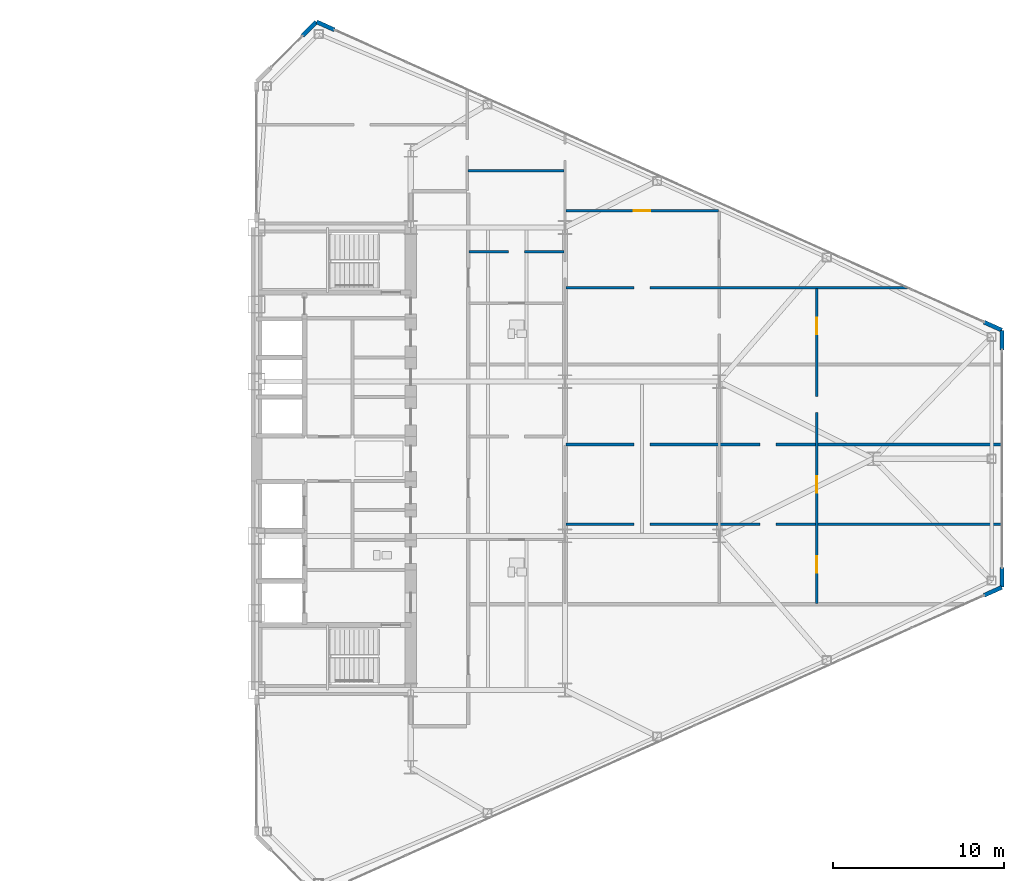
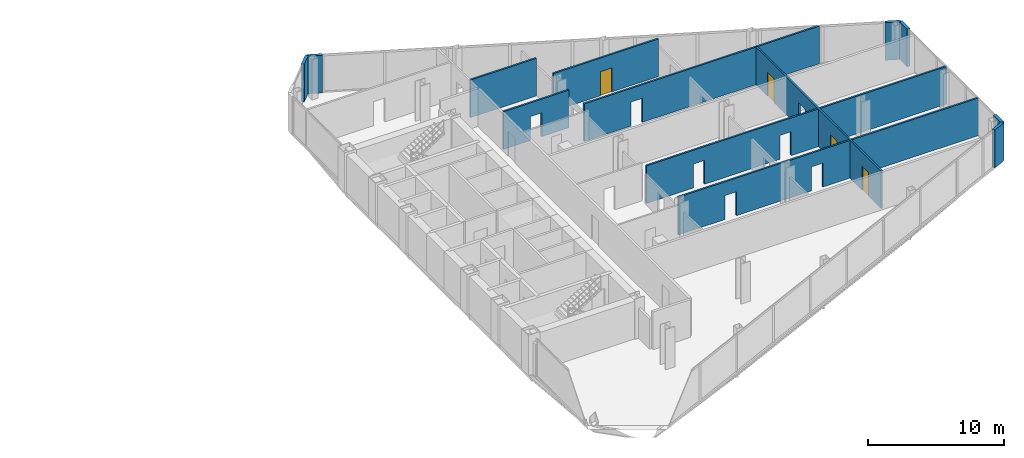
# One storey, part 24 of 27: 13 walls, 4 doors, 11 openings.
"""IFC4 building model written with IfcOpenShell, lengths in metres."""

from ifc_helpers import new_model, si_unit, direction, frame, frame_2d, origin, place, context, subcontext, project, spatial, rectangle, extrude, source, transform, mapped, material, layer, layer_set, type_object, type_shapes, element, fill, save


model = new_model("IFC4")

# Units and contexts
model_context = context("Model", 3, precision=1e-05, world=origin(), true_north=direction((0.0, 1.0)))
body_context = subcontext(model_context, "Body", "Model", "MODEL_VIEW")
ifc_project = project(units=[si_unit("LENGTHUNIT", "METRE"), si_unit("AREAUNIT", "SQUARE_METRE"), si_unit("VOLUMEUNIT", "CUBIC_METRE"), si_unit("PLANEANGLEUNIT", "RADIAN"), si_unit("MASSUNIT", "GRAM", prefix="KILO")], contexts=[model_context])

# Site, building, storey
site_placement = place(None, origin())
site = spatial("IfcSite", under=ifc_project, at=site_placement, CompositionType="ELEMENT")
building_placement = place(site_placement, origin())
building = spatial("IfcBuilding", under=site, at=building_placement, Name="Seokmaru Belvedere", CompositionType="ELEMENT")
storey_placement = place(building_placement, frame((0.0, 0.0, 76.5)))
storey = spatial("IfcBuildingStorey", under=building, at=storey_placement, Name="L20", CompositionType="ELEMENT", Elevation=76.5)

# Wall, openings
ifc_material_1 = material(Name="Fire-Rated Gypsum Shaftwall")
ifc_layer_1 = layer(ifc_material_1, 0.14990234375)
ifc_layer_set_1 = layer_set([ifc_layer_1], Name="Fire-Rated Gypsum Shaftwall")
wall_type_1 = type_object("IfcWallType", Name="Apartment Fire-Acoustic Room Partition 150", PredefinedType="PARTITIONING", material=ifc_layer_set_1)
wall_1_placement = place(storey_placement, frame((45.550048828125, -3.830078125, 0.0), z_axis=(0.0, 0.0, 1.0), x_axis=(1.0, 0.0, 0.0)))
wall_1 = element("IfcWall", 1, at=wall_1_placement, inside=storey, type_object=wall_type_1, Name="L20 Interior Partition 012", PredefinedType="PARTITIONING", context=body_context, shape_type="SweptSolid", body=[
    extrude(rectangle(XDim=25.48486328125, YDim=0.14990234375, at=frame_2d((12.742431640625, 0.0))), origin(), (0.0, 0.0, 1.0), 3.3798828125),
])
opening_1_placement = place(wall_1_placement, frame((3.97509765625, 0.0, 0.0)))
element("IfcOpeningElement", 2, at=opening_1_placement, cuts=wall_1, Name="L20 Cased Opening 039", PredefinedType="OPENING", context=body_context, shape_type="SweptSolid", body=[
    extrude(rectangle(XDim=0.949951171875, YDim=2.14990234375, at=frame_2d((0.47509765625, 1.074951171875))), frame((0.0, 0.0849609375, 0.0), z_axis=(0.0, -1.0, 0.0), x_axis=(1.0, 0.0, 0.0)), (0.0, 0.0, 1.0), 0.169921875),
])
opening_2_placement = place(wall_1_placement, frame((11.324951171875, 0.0, 0.0)))
element("IfcOpeningElement", 3, at=opening_2_placement, cuts=wall_1, Name="L20 Cased Opening 041", PredefinedType="OPENING", context=body_context, shape_type="SweptSolid", body=[
    extrude(rectangle(XDim=0.949951171875, YDim=2.14990234375, at=frame_2d((0.47509765625, 1.074951171875))), frame((0.0, 0.0849609375, 0.0), z_axis=(0.0, -1.0, 0.0), x_axis=(1.0, 0.0, 0.0)), (0.0, 0.0, 1.0), 0.169921875),
])

wall_2_placement = place(storey_placement, frame((45.550048828125, 0.830078125, 0.0), z_axis=(0.0, 0.0, 1.0), x_axis=(1.0, 0.0, 0.0)))
wall_2 = element("IfcWall", 4, at=wall_2_placement, inside=storey, type_object=wall_type_1, Name="L20 Interior Partition 015", PredefinedType="PARTITIONING", context=body_context, shape_type="SweptSolid", body=[
    extrude(rectangle(XDim=25.48486328125, YDim=0.14990234375, at=frame_2d((12.742431640625, 0.0))), origin(), (0.0, 0.0, 1.0), 3.3798828125),
])
opening_3_placement = place(wall_2_placement, frame((3.97509765625, 0.0, 0.0)))
element("IfcOpeningElement", 5, at=opening_3_placement, cuts=wall_2, Name="L20 Cased Opening 040", PredefinedType="OPENING", context=body_context, shape_type="SweptSolid", body=[
    extrude(rectangle(XDim=0.949951171875, YDim=2.14990234375, at=frame_2d((0.47509765625, 1.074951171875))), frame((0.0, 0.0849609375, 0.0), z_axis=(0.0, -1.0, 0.0), x_axis=(1.0, 0.0, 0.0)), (0.0, 0.0, 1.0), 0.169921875),
])
opening_4_placement = place(wall_2_placement, frame((11.324951171875, 0.0, 0.0)))
element("IfcOpeningElement", 6, at=opening_4_placement, cuts=wall_2, Name="L20 Cased Opening 044", PredefinedType="OPENING", context=body_context, shape_type="SweptSolid", body=[
    extrude(rectangle(XDim=0.949951171875, YDim=2.14990234375, at=frame_2d((0.47509765625, 1.074951171875))), frame((0.0, 0.0849609375, 0.0), z_axis=(0.0, -1.0, 0.0), x_axis=(1.0, 0.0, 0.0)), (0.0, 0.0, 1.0), 0.169921875),
])

# Wall, opening
wall_3_placement = place(storey_placement, frame((45.550048828125, 9.989990234375, 0.0), z_axis=(0.0, 0.0, 1.0), x_axis=(1.0, 0.0, 0.0)))
wall_3 = element("IfcWall", 7, at=wall_3_placement, inside=storey, type_object=wall_type_1, Name="L20 Interior Partition 022", PredefinedType="PARTITIONING", context=body_context, shape_type="SweptSolid", body=[
    extrude(rectangle(XDim=19.947998046875, YDim=0.14990234375, at=frame_2d((9.97412109375, 0.0))), origin(), (0.0, 0.0, 1.0), 3.3798828125),
])
opening_5_placement = place(wall_3_placement, frame((3.97509765625, 0.0, 0.0)))
element("IfcOpeningElement", 8, at=opening_5_placement, cuts=wall_3, Name="L20 Cased Opening 051", PredefinedType="OPENING", context=body_context, shape_type="SweptSolid", body=[
    extrude(rectangle(XDim=0.949951171875, YDim=2.14990234375, at=frame_2d((0.47509765625, 1.074951171875))), frame((0.0, 0.0849609375, 0.0), z_axis=(0.0, -1.0, 0.0), x_axis=(1.0, 0.0, 0.0)), (0.0, 0.0, 1.0), 0.169921875),
])

wall_4_placement = place(storey_placement, frame((39.89990234375, 12.080078125, 0.0), z_axis=(0.0, 0.0, 1.0), x_axis=(1.0, 0.0, 0.0)))
wall_4 = element("IfcWall", 9, at=wall_4_placement, inside=storey, type_object=wall_type_1, Name="L20 Interior Partition 024", PredefinedType="PARTITIONING", context=body_context, shape_type="SweptSolid", body=[
    extrude(rectangle(XDim=5.550048828125, YDim=0.14990234375, at=frame_2d((2.77490234375, 0.0))), origin(), (0.0, 0.0, 1.0), 3.3798828125),
])
opening_6_placement = place(wall_4_placement, frame((2.300048828125, 0.0, 0.0)))
element("IfcOpeningElement", 10, at=opening_6_placement, cuts=wall_4, Name="L20 Cased Opening 048", PredefinedType="OPENING", context=body_context, shape_type="SweptSolid", body=[
    extrude(rectangle(XDim=0.949951171875, YDim=2.14990234375, at=frame_2d((0.47509765625, 1.074951171875))), frame((0.0, 0.0849609375, 0.0), z_axis=(0.0, -1.0, 0.0), x_axis=(1.0, 0.0, 0.0)), (0.0, 0.0, 1.0), 0.169921875),
])

# Wall, opening, door
wall_5_placement = place(storey_placement, frame((45.550048828125, 14.47998046875, 0.0), z_axis=(0.0, 0.0, 1.0), x_axis=(1.0, 0.0, 0.0)))
wall_5 = element("IfcWall", 11, at=wall_5_placement, inside=storey, type_object=wall_type_1, Name="L20 Interior Partition 026", PredefinedType="PARTITIONING", context=body_context, shape_type="SweptSolid", body=[
    extrude(rectangle(XDim=8.89990234375, YDim=0.14990234375, at=frame_2d((4.449951171875, 0.0))), origin(), (0.0, 0.0, 1.0), 3.3798828125),
])
opening_7_placement = place(wall_5_placement, frame((3.97509765625, 0.0, 0.0)))
opening_7 = element("IfcOpeningElement", 12, at=opening_7_placement, cuts=wall_5, Name="Opening D05", PredefinedType="OPENING", context=body_context, shape_type="SweptSolid", body=[
    extrude(rectangle(XDim=0.949951171875, YDim=2.14990234375, at=frame_2d((0.47509765625, 1.074951171875))), frame((0.0, 0.0849609375, 0.0), z_axis=(0.0, -1.0, 0.0), x_axis=(1.0, 0.0, 0.0)), (0.0, 0.0, 1.0), 0.169921875),
])
ifc_material_2 = material(Name="Engineered White Oak Timber", Category="wood")
door_type = type_object("IfcDoorType", Name="Apartment Interior Fire-Rated Oak Door 950x2150", OperationType="NOTDEFINED", PredefinedType="DOOR", material=ifc_material_2)
shared_shape = source(origin(), body_context, "Body", "SweptSolid", [
    extrude(rectangle(XDim=0.949951171875, YDim=2.14990234375, at=frame_2d((0.47509765625, 1.074951171875))), frame((0.0, 0.02490234375, 0.0), z_axis=(0.0, -1.0, 0.0), x_axis=(1.0, 0.0, 0.0)), (0.0, 0.0, 1.0), 0.050048828125),
])
type_shapes(door_type, [shared_shape])
door_1_placement = place(opening_7_placement, origin())
door_1 = element("IfcDoor", 13, at=door_1_placement, inside=storey, type_object=door_type, Name="L20 Interior Door 052", OperationType="SINGLE_SWING_LEFT", OverallHeight=2.14990234375, OverallWidth=0.949951171875, PredefinedType="DOOR", context=body_context, shape_type="MappedRepresentation", body=[
    mapped(shared_shape, transform((0.0, 0.0, 0.0), scale=1.0)),
])
fill(opening_7, door_1)

# Wall
wall_6_placement = place(storey_placement, frame((39.85009765625, 16.81005859375, 0.0), z_axis=(0.0, 0.0, 1.0), x_axis=(1.0, 0.0, 0.0)))
element("IfcWall", 14, at=wall_6_placement, inside=storey, type_object=wall_type_1, Name="L20 Interior Partition 029", PredefinedType="PARTITIONING", context=body_context, shape_type="SweptSolid", body=[
    extrude(rectangle(XDim=5.599853515625, YDim=0.14990234375, at=frame_2d((2.7998046875, 0.0))), origin(), (0.0, 0.0, 1.0), 3.3798828125),
])

# Wall, openings, doors
wall_7_placement = place(storey_placement, frame((60.199951171875, -8.449951171875, 0.0), z_axis=(0.0, 0.0, 1.0), x_axis=(0.0, 1.0, 0.0)))
wall_7 = element("IfcWall", 15, at=wall_7_placement, inside=storey, type_object=wall_type_1, Name="L20 Interior Partition 050", PredefinedType="PARTITIONING", context=body_context, shape_type="SweptSolid", body=[
    extrude(rectangle(XDim=18.391845703125, YDim=0.14990234375, at=frame_2d((9.19580078125, 0.0))), origin(), (0.0, 0.0, 1.0), 3.3798828125),
])
opening_8_placement = place(wall_7_placement, frame((1.808349609375, 0.0, 0.0)))
opening_8 = element("IfcOpeningElement", 16, at=opening_8_placement, cuts=wall_7, Name="Opening D05", PredefinedType="OPENING", context=body_context, shape_type="SweptSolid", body=[
    extrude(rectangle(XDim=0.949951171875, YDim=2.14990234375, at=frame_2d((0.47509765625, 1.074951171875))), frame((0.0, 0.0849609375, 0.0), z_axis=(0.0, -1.0, 0.0), x_axis=(1.0, 0.0, 0.0)), (0.0, 0.0, 1.0), 0.169921875),
])
opening_9_placement = place(wall_7_placement, frame((6.47509765625, 0.0, 0.0)))
opening_9 = element("IfcOpeningElement", 17, at=opening_9_placement, cuts=wall_7, Name="Opening D05", PredefinedType="OPENING", context=body_context, shape_type="SweptSolid", body=[
    extrude(rectangle(XDim=0.949951171875, YDim=2.14990234375, at=frame_2d((0.47509765625, 1.074951171875))), frame((0.0, 0.0849609375, 0.0), z_axis=(0.0, -1.0, 0.0), x_axis=(1.0, 0.0, 0.0)), (0.0, 0.0, 1.0), 0.169921875),
])
opening_10_placement = place(wall_7_placement, frame((11.1416015625, 0.0, 0.0)))
element("IfcOpeningElement", 18, at=opening_10_placement, cuts=wall_7, Name="L20 Cased Opening 045", PredefinedType="OPENING", context=body_context, shape_type="SweptSolid", body=[
    extrude(rectangle(XDim=0.949951171875, YDim=2.14990234375, at=frame_2d((0.47509765625, 1.074951171875))), frame((0.0, 0.0849609375, 0.0), z_axis=(0.0, -1.0, 0.0), x_axis=(1.0, 0.0, 0.0)), (0.0, 0.0, 1.0), 0.169921875),
])
opening_11_placement = place(wall_7_placement, frame((15.720947265625, 0.0, 0.0)))
opening_11 = element("IfcOpeningElement", 19, at=opening_11_placement, cuts=wall_7, Name="Opening D05", PredefinedType="OPENING", context=body_context, shape_type="SweptSolid", body=[
    extrude(rectangle(XDim=0.949951171875, YDim=2.14990234375, at=frame_2d((0.47509765625, 1.074951171875))), frame((0.0, 0.0849609375, 0.0), z_axis=(0.0, -1.0, 0.0), x_axis=(1.0, 0.0, 0.0)), (0.0, 0.0, 1.0), 0.169921875),
])
door_2_placement = place(opening_8_placement, origin())
door_2 = element("IfcDoor", 20, at=door_2_placement, inside=storey, type_object=door_type, Name="L20 Interior Door 042", OperationType="SINGLE_SWING_LEFT", OverallHeight=2.14990234375, OverallWidth=0.949951171875, PredefinedType="DOOR", context=body_context, shape_type="MappedRepresentation", body=[
    mapped(shared_shape, transform((0.0, 0.0, 0.0), scale=1.0)),
])
fill(opening_8, door_2)
door_3_placement = place(opening_9_placement, origin())
door_3 = element("IfcDoor", 21, at=door_3_placement, inside=storey, type_object=door_type, Name="L20 Interior Door 043", OperationType="SINGLE_SWING_LEFT", OverallHeight=2.14990234375, OverallWidth=0.949951171875, PredefinedType="DOOR", context=body_context, shape_type="MappedRepresentation", body=[
    mapped(shared_shape, transform((0.0, 0.0, 0.0), scale=1.0)),
])
fill(opening_9, door_3)
door_4_placement = place(opening_11_placement, origin())
door_4 = element("IfcDoor", 22, at=door_4_placement, inside=storey, type_object=door_type, Name="L20 Interior Door 054", OperationType="SINGLE_SWING_LEFT", OverallHeight=2.14990234375, OverallWidth=0.949951171875, PredefinedType="DOOR", context=body_context, shape_type="MappedRepresentation", body=[
    mapped(shared_shape, transform((0.0, 0.0, 0.0), scale=1.0)),
])
fill(opening_11, door_4)

# Walls
ifc_material_3 = material(Name="Anodised Bronze Aluminium", Category="aluminium")
ifc_layer_2 = layer(ifc_material_3, 0.239990234375)
ifc_layer_set_2 = layer_set([ifc_layer_2], Name="Anodised Bronze Aluminium")
wall_type_2 = type_object("IfcWallType", Name="Tower Corner Spandrel Closure Wall 240", PredefinedType="SOLIDWALL", material=ifc_layer_set_2)
for number, where, z_axis, x_axis, name in (
    (23, (69.951416015625, -7.971923828125, 0.0), (0.0, 0.0, 1.0), (0.911929519623, 0.410346866979, 0.0), "L20 E Corner Closure Pier 1B"),
    (24, (71.0, -7.489990234375, 0.0), (0.0, 0.0, 1.0), (0.0, 1.0, 0.0), "L20 E Corner Closure Pier 2A"),
    (25, (71.0, 6.35009765625, 0.0), (0.0, 0.0, 1.0), (0.0, 1.0, 0.0), "L20 E Corner Closure Pier 2B"),
    (26, (70.990966796875, 7.504150390625, 0.0), (0.0, 0.0, 1.0), (-0.911929519623, 0.410346866979, 0.0), "L20 E Corner Closure Pier 3A"),
    (27, (32.048583984375, 25.028076171875, 0.0), (0.0, 0.0, 1.0), (-0.911929519623, 0.410346866979, 0.0), "L20 E Corner Closure Pier 3B"),
):
    element("IfcWall", number, at=place(storey_placement, frame(where, z_axis=z_axis, x_axis=x_axis)), inside=storey, type_object=wall_type_2, Name=name, PredefinedType="SOLIDWALL", context=body_context, shape_type="SweptSolid", body=[
        extrude(rectangle(XDim=1.139892578125, YDim=0.239990234375, at=frame_2d((0.56982421875, 0.0))), origin(), (0.0, 0.0, 1.0), 3.3798828125),
    ])
wall_8_placement = place(storey_placement, frame((30.992919921875, 25.492919921875, 0.0), z_axis=(0.0, 0.0, 1.0), x_axis=(-0.707106781187, -0.707106781187, 0.0)))
element("IfcWall", 28, at=wall_8_placement, inside=storey, type_object=wall_type_2, Name="L20 E Corner Closure Pier 4A", PredefinedType="SOLIDWALL", context=body_context, shape_type="SweptSolid", body=[
    extrude(rectangle(XDim=1.14013671875, YDim=0.239990234375, at=frame_2d((0.570068359375, 0.0))), origin(), (0.0, 0.0, 1.0), 3.3798828125),
])

save(model, "model.ifc")
